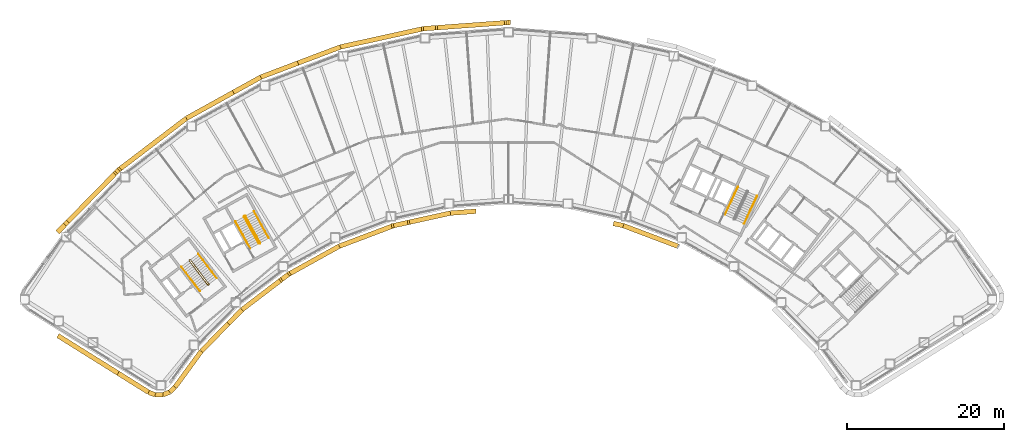
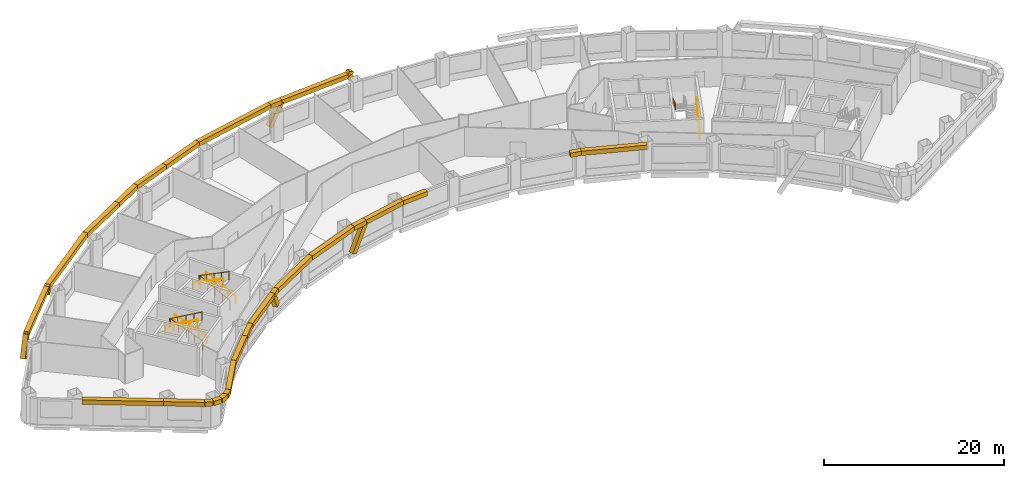
# One storey, part 10 of 11: 35 coverings, 8 railings.
"""IFC4 building model written with IfcOpenShell, lengths in metres."""

from ifc_helpers import new_model, si_unit, direction, frame, origin, origin_2d, place, context, subcontext, project, spatial, rectangle, circle, extrude, material, material_profile, profile_set, type_object, element, save


model = new_model("IFC4")

# Units and contexts
model_context = context("Model", 3, precision=1e-05, world=origin(), true_north=direction((0.0, 1.0)))
body_context = subcontext(model_context, "Body", "Model", "MODEL_VIEW")
ifc_project = project(units=[si_unit("LENGTHUNIT", "METRE"), si_unit("AREAUNIT", "SQUARE_METRE"), si_unit("VOLUMEUNIT", "CUBIC_METRE"), si_unit("PLANEANGLEUNIT", "RADIAN"), si_unit("MASSUNIT", "GRAM", prefix="KILO")], contexts=[model_context])

# Site, building, storey
site_placement = place(None, origin())
site = spatial("IfcSite", under=ifc_project, at=site_placement, CompositionType="ELEMENT")
building_placement = place(site_placement, origin())
building = spatial("IfcBuilding", under=site, at=building_placement, Name="Tuul Gate Civic Tower", CompositionType="ELEMENT")
storey_placement = place(building_placement, frame((0.0, 0.0, 69.60009765625)))
storey = spatial("IfcBuildingStorey", under=building, at=storey_placement, Name="Level 15", CompositionType="ELEMENT", Elevation=69.60009765625)

# Railings
ifc_material_1 = material(Name="Painted steel", Category="steel")
railing_type_1 = type_object("IfcRailingType", Name="Stair guard", PredefinedType="GUARDRAIL", material=ifc_material_1)
railing_1_placement = place(storey_placement, frame((-33.382080078125, -13.515380859375, 0.0)))
element("IfcRailing", 1, at=railing_1_placement, inside=storey, type_object=railing_type_1, Name="Level 15 ST-1 stair guard 1", PredefinedType="GUARDRAIL", context=body_context, shape_type="SweptSolid", body=[
    extrude(circle(Radius=0.02392578125, at=origin_2d()), frame((0.0, 0.0, 1.076171875), z_axis=(-0.795879841968, -0.605454603706, 0.0), x_axis=(0.605454603706, -0.795879841968, 0.0)), (0.0, 0.0, 1.0), 0.10009765625),
    extrude(circle(Radius=0.02392578125, at=origin_2d()), frame((-0.07958984375, -0.060546875, 1.076171875), z_axis=(0.408991890351, 0.599481263939, 0.688002796371), x_axis=(-0.826063974707, 0.563576356576, 0.0)), (0.0, 0.0, 1.0), 0.2177734375),
    extrude(circle(Radius=0.02392578125, at=origin_2d()), frame((0.009521484375, 0.070068359375, 1.22607421875), z_axis=(-0.541824460341, 0.711645023348, 0.447199748346), x_axis=(-0.795637165283, -0.60577347352, 0.0)), (0.0, 0.0, 1.0), 4.3603515625),
    extrude(circle(Radius=0.02392578125, at=origin_2d()), frame((-2.35302734375, 3.173095703125, 3.17578125), z_axis=(-0.990893089246, 0.134650977284, 0.0), x_axis=(-0.134650977284, -0.990893089246, 0.0)), (0.0, 0.0, 1.0), 0.07080078125),
    extrude(circle(Radius=0.02392578125, at=origin_2d()), frame((-2.423095703125, 3.1826171875, 3.17578125), z_axis=(-0.793802879778, -0.60817512943, 0.0), x_axis=(0.60817512943, -0.793802879778, 0.0)), (0.0, 0.0, 1.0), 0.099853515625),
    extrude(circle(Radius=0.02392578125, at=origin_2d()), frame((-2.50244140625, 3.121826171875, 3.17578125), z_axis=(-0.057370624079, -0.422188951554, 0.904690610473), x_axis=(0.990893089246, -0.134650977284, 0.0)), (0.0, 0.0, 1.0), 0.166015625),
    extrude(circle(Radius=0.02392578125, at=origin_2d()), frame((-2.511962890625, 3.0517578125, 3.326171875), z_axis=(0.541806494602, -0.71163897684, 0.447231136047), x_axis=(0.795644365679, 0.605764016233, 0.0)), (0.0, 0.0, 1.0), 4.360107421875),
    extrude(circle(Radius=0.02099609375, at=origin_2d()), origin(), (0.0, 0.0, 1.0), 1.052001953125),
    extrude(circle(Radius=0.02099609375, at=origin_2d()), frame((-0.07958984375, -0.060546875, 0.0)), (0.0, 0.0, 1.0), 1.052001953125),
    extrude(circle(Radius=0.02099609375, at=origin_2d()), frame((0.009521484375, 0.070068359375, 0.14990234375)), (0.0, 0.0, 1.0), 1.052001953125),
    extrude(circle(Radius=0.02099609375, at=origin_2d()), frame((-0.5810546875, 0.845703125, 0.637451171875)), (0.0, 0.0, 1.0), 1.052001953125),
    extrude(circle(Radius=0.02099609375, at=origin_2d()), frame((-1.171875, 1.62158203125, 1.125)), (0.0, 0.0, 1.0), 1.052001953125),
    extrude(circle(Radius=0.02099609375, at=origin_2d()), frame((-1.762451171875, 2.3974609375, 1.6123046875)), (0.0, 0.0, 1.0), 1.052001953125),
    extrude(circle(Radius=0.02099609375, at=origin_2d()), frame((-2.35302734375, 3.173095703125, 2.099853515625)), (0.0, 0.0, 1.0), 1.052001953125),
    extrude(circle(Radius=0.02099609375, at=origin_2d()), frame((-2.423095703125, 3.1826171875, 2.099853515625)), (0.0, 0.0, 1.0), 1.052001953125),
    extrude(circle(Radius=0.02099609375, at=origin_2d()), frame((-2.50244140625, 3.121826171875, 2.099853515625)), (0.0, 0.0, 1.0), 1.052001953125),
    extrude(circle(Radius=0.02099609375, at=origin_2d()), frame((-2.511962890625, 3.0517578125, 2.25)), (0.0, 0.0, 1.0), 1.052001953125),
    extrude(circle(Radius=0.02099609375, at=origin_2d()), frame((-1.92138671875, 2.276123046875, 2.737548828125)), (0.0, 0.0, 1.0), 1.052001953125),
    extrude(circle(Radius=0.02099609375, at=origin_2d()), frame((-1.330810546875, 1.50048828125, 3.22509765625)), (0.0, 0.0, 1.0), 1.052001953125),
    extrude(circle(Radius=0.02099609375, at=origin_2d()), frame((-0.740234375, 0.724609375, 3.71240234375)), (0.0, 0.0, 1.0), 1.052001953125),
    extrude(circle(Radius=0.02099609375, at=origin_2d()), frame((-0.149658203125, -0.051025390625, 4.199951171875)), (0.0, 0.0, 1.0), 1.052001953125),
])
railing_2_placement = place(storey_placement, frame((-26.857666015625, -8.247314453125, 0.0)))
element("IfcRailing", 2, at=railing_2_placement, inside=storey, type_object=railing_type_1, Name="Level 15 ST-2 stair guard 1", PredefinedType="GUARDRAIL", context=body_context, shape_type="SweptSolid", body=[
    extrude(circle(Radius=0.02392578125, at=origin_2d()), frame((0.0, 0.0, 1.076171875), z_axis=(-0.874616555828, -0.48481530532, 0.0), x_axis=(0.48481530532, -0.874616555828, 0.0)), (0.0, 0.0, 1.0), 0.10009765625),
    extrude(circle(Radius=0.02392578125, at=origin_2d()), frame((-0.087646484375, -0.048583984375, 1.076171875), z_axis=(0.49081399482, 0.534516610797, 0.688036056665), x_axis=(-0.736576986774, 0.676353711126, 0.0)), (0.0, 0.0, 1.0), 0.2177734375),
    extrude(circle(Radius=0.02392578125, at=origin_2d()), frame((0.019287109375, 0.06787109375, 1.22607421875), z_axis=(-0.43354991378, 0.782327185242, 0.447212083348), x_axis=(-0.874667644053, -0.484723129681, 0.0)), (0.0, 0.0, 1.0), 4.3603515625),
    extrude(circle(Radius=0.02392578125, at=origin_2d()), frame((-1.87109375, 3.47900390625, 3.17578125), z_axis=(-0.961263487578, 0.275631107549, 0.0), x_axis=(-0.275631107549, -0.961263487578, 0.0)), (0.0, 0.0, 1.0), 0.07080078125),
    extrude(circle(Radius=0.02392578125, at=origin_2d()), frame((-1.939208984375, 3.49853515625, 3.17578125), z_axis=(-0.874042088414, -0.485850211157, 0.0), x_axis=(0.485850211157, -0.874042088414, 0.0)), (0.0, 0.0, 1.0), 0.10009765625),
    extrude(circle(Radius=0.02392578125, at=origin_2d()), frame((-2.026611328125, 3.449951171875, 3.17578125), z_axis=(-0.117709570447, -0.409040757305, 0.904892322815), x_axis=(0.961000426733, -0.276546885391, 0.0)), (0.0, 0.0, 1.0), 0.166015625),
    extrude(circle(Radius=0.02392578125, at=origin_2d()), frame((-2.046142578125, 3.382080078125, 3.326171875), z_axis=(0.433595379963, -0.782308193291, 0.447201226726), x_axis=(0.874641102302, 0.484771020343, 0.0)), (0.0, 0.0, 1.0), 4.3603515625),
    extrude(circle(Radius=0.02099609375, at=origin_2d()), origin(), (0.0, 0.0, 1.0), 1.052001953125),
    extrude(circle(Radius=0.02099609375, at=origin_2d()), frame((-0.087646484375, -0.048583984375, 0.0)), (0.0, 0.0, 1.0), 1.052001953125),
    extrude(circle(Radius=0.02099609375, at=origin_2d()), frame((0.019287109375, 0.06787109375, 0.14990234375)), (0.0, 0.0, 1.0), 1.052001953125),
    extrude(circle(Radius=0.02099609375, at=origin_2d()), frame((-0.453369140625, 0.920654296875, 0.637451171875)), (0.0, 0.0, 1.0), 1.052001953125),
    extrude(circle(Radius=0.02099609375, at=origin_2d()), frame((-0.92578125, 1.7734375, 1.125)), (0.0, 0.0, 1.0), 1.052001953125),
    extrude(circle(Radius=0.02099609375, at=origin_2d()), frame((-1.3984375, 2.626220703125, 1.6123046875)), (0.0, 0.0, 1.0), 1.052001953125),
    extrude(circle(Radius=0.02099609375, at=origin_2d()), frame((-1.87109375, 3.47900390625, 2.099853515625)), (0.0, 0.0, 1.0), 1.052001953125),
    extrude(circle(Radius=0.02099609375, at=origin_2d()), frame((-1.939208984375, 3.49853515625, 2.099853515625)), (0.0, 0.0, 1.0), 1.052001953125),
    extrude(circle(Radius=0.02099609375, at=origin_2d()), frame((-2.026611328125, 3.449951171875, 2.099853515625)), (0.0, 0.0, 1.0), 1.052001953125),
    extrude(circle(Radius=0.02099609375, at=origin_2d()), frame((-2.046142578125, 3.382080078125, 2.25)), (0.0, 0.0, 1.0), 1.052001953125),
    extrude(circle(Radius=0.02099609375, at=origin_2d()), frame((-1.573486328125, 2.529296875, 2.737548828125)), (0.0, 0.0, 1.0), 1.052001953125),
    extrude(circle(Radius=0.02099609375, at=origin_2d()), frame((-1.100830078125, 1.676513671875, 3.22509765625)), (0.0, 0.0, 1.0), 1.052001953125),
    extrude(circle(Radius=0.02099609375, at=origin_2d()), frame((-0.628173828125, 0.82373046875, 3.71240234375)), (0.0, 0.0, 1.0), 1.052001953125),
    extrude(circle(Radius=0.02099609375, at=origin_2d()), frame((-0.155517578125, -0.029052734375, 4.199951171875)), (0.0, 0.0, 1.0), 1.052001953125),
])
ifc_material_2 = material(Name="Painted steel", Category="steel")
railing_type_2 = type_object("IfcRailingType", Name="Stair handrail", PredefinedType="HANDRAIL", material=ifc_material_2)
railing_3_placement = place(storey_placement, frame((-32.3779296875, -12.688232421875, 0.14990234375)))
element("IfcRailing", 3, at=railing_3_placement, inside=storey, type_object=railing_type_2, Name="Level 15 ST-1 stair handrail 1", PredefinedType="HANDRAIL", context=body_context, shape_type="SweptSolid", body=[
    extrude(circle(Radius=0.02392578125, at=origin_2d()), frame((0.0, 0.0, 0.8759765625), z_axis=(-0.541824460341, 0.711645023348, 0.447199748346), x_axis=(-0.795637165283, -0.60577347352, 0.0)), (0.0, 0.0, 1.0), 4.3603515625),
    extrude(circle(Radius=0.02099609375, at=origin_2d()), origin(), (0.0, 0.0, 1.0), 0.851806640625),
    extrude(circle(Radius=0.02099609375, at=origin_2d()), frame((-0.590576171875, 0.77587890625, 0.487548828125)), (0.0, 0.0, 1.0), 0.851806640625),
    extrude(circle(Radius=0.02099609375, at=origin_2d()), frame((-1.18115234375, 1.551513671875, 0.97509765625)), (0.0, 0.0, 1.0), 0.851806640625),
    extrude(circle(Radius=0.02099609375, at=origin_2d()), frame((-1.77197265625, 2.3271484375, 1.46240234375)), (0.0, 0.0, 1.0), 0.851806640625),
    extrude(circle(Radius=0.02099609375, at=origin_2d()), frame((-2.362548828125, 3.10302734375, 1.949951171875)), (0.0, 0.0, 1.0), 0.851806640625),
])
railing_4_placement = place(storey_placement, frame((-36.888671875, -11.220703125, 2.25)))
element("IfcRailing", 4, at=railing_4_placement, inside=storey, type_object=railing_type_2, Name="Level 15 ST-1 stair handrail 2", PredefinedType="HANDRAIL", context=body_context, shape_type="SweptSolid", body=[
    extrude(circle(Radius=0.02392578125, at=origin_2d()), frame((0.0, 0.0, 0.8759765625), z_axis=(0.541824460341, -0.711645023348, 0.447199748346), x_axis=(0.795637165283, 0.60577347352, 0.0)), (0.0, 0.0, 1.0), 4.3603515625),
    extrude(circle(Radius=0.02099609375, at=origin_2d()), origin(), (0.0, 0.0, 1.0), 0.851806640625),
    extrude(circle(Radius=0.02099609375, at=origin_2d()), frame((0.590576171875, -0.77587890625, 0.487548828125)), (0.0, 0.0, 1.0), 0.851806640625),
    extrude(circle(Radius=0.02099609375, at=origin_2d()), frame((1.18115234375, -1.551513671875, 0.97509765625)), (0.0, 0.0, 1.0), 0.851806640625),
    extrude(circle(Radius=0.02099609375, at=origin_2d()), frame((1.77197265625, -2.3271484375, 1.46240234375)), (0.0, 0.0, 1.0), 0.851806640625),
    extrude(circle(Radius=0.02099609375, at=origin_2d()), frame((2.362548828125, -3.10302734375, 1.949951171875)), (0.0, 0.0, 1.0), 0.851806640625),
])
railing_5_placement = place(storey_placement, frame((-25.744873046875, -7.573486328125, 0.14990234375)))
element("IfcRailing", 5, at=railing_5_placement, inside=storey, type_object=railing_type_2, Name="Level 15 ST-2 stair handrail 1", PredefinedType="HANDRAIL", context=body_context, shape_type="SweptSolid", body=[
    extrude(circle(Radius=0.02392578125, at=origin_2d()), frame((0.0, 0.0, 0.8759765625), z_axis=(-0.433595379963, 0.782308193291, 0.447201226726), x_axis=(-0.874641102302, -0.484771020343, 0.0)), (0.0, 0.0, 1.0), 4.3603515625),
    extrude(circle(Radius=0.02099609375, at=origin_2d()), origin(), (0.0, 0.0, 1.0), 0.851806640625),
    extrude(circle(Radius=0.02099609375, at=origin_2d()), frame((-0.47265625, 0.852783203125, 0.487548828125)), (0.0, 0.0, 1.0), 0.851806640625),
    extrude(circle(Radius=0.02099609375, at=origin_2d()), frame((-0.9453125, 1.70556640625, 0.97509765625)), (0.0, 0.0, 1.0), 0.851806640625),
    extrude(circle(Radius=0.02099609375, at=origin_2d()), frame((-1.41796875, 2.558349609375, 1.46240234375)), (0.0, 0.0, 1.0), 0.851806640625),
    extrude(circle(Radius=0.02099609375, at=origin_2d()), frame((-1.890625, 3.4111328125, 1.949951171875)), (0.0, 0.0, 1.0), 0.851806640625),
])
railing_6_placement = place(storey_placement, frame((-29.9970703125, -5.47119140625, 2.25)))
element("IfcRailing", 6, at=railing_6_placement, inside=storey, type_object=railing_type_2, Name="Level 15 ST-2 stair handrail 2", PredefinedType="HANDRAIL", context=body_context, shape_type="SweptSolid", body=[
    extrude(circle(Radius=0.02392578125, at=origin_2d()), frame((0.0, 0.0, 0.8759765625), z_axis=(0.433595379963, -0.782308193291, 0.447201226726), x_axis=(0.874641102302, 0.484771020343, 0.0)), (0.0, 0.0, 1.0), 4.3603515625),
    extrude(circle(Radius=0.02099609375, at=origin_2d()), origin(), (0.0, 0.0, 1.0), 0.851806640625),
    extrude(circle(Radius=0.02099609375, at=origin_2d()), frame((0.47265625, -0.852783203125, 0.487548828125)), (0.0, 0.0, 1.0), 0.851806640625),
    extrude(circle(Radius=0.02099609375, at=origin_2d()), frame((0.9453125, -1.70556640625, 0.97509765625)), (0.0, 0.0, 1.0), 0.851806640625),
    extrude(circle(Radius=0.02099609375, at=origin_2d()), frame((1.41796875, -2.558349609375, 1.46240234375)), (0.0, 0.0, 1.0), 0.851806640625),
    extrude(circle(Radius=0.02099609375, at=origin_2d()), frame((1.890625, -3.4111328125, 1.949951171875)), (0.0, 0.0, 1.0), 0.851806640625),
])
railing_7_placement = place(storey_placement, frame((34.844970703125, -5.74267578125, 0.14990234375)))
element("IfcRailing", 7, at=railing_7_placement, inside=storey, type_object=railing_type_2, Name="Level 15 ST-4 stair handrail 1", PredefinedType="HANDRAIL", context=body_context, shape_type="SweptSolid", body=[
    extrude(circle(Radius=0.02392578125, at=origin_2d()), frame((0.0, 0.0, 0.8759765625), z_axis=(0.377994896215, 0.810636958585, 0.447199709091), x_axis=(-0.906312636903, 0.422607861012, 0.0)), (0.0, 0.0, 1.0), 4.3603515625),
    extrude(circle(Radius=0.02099609375, at=origin_2d()), origin(), (0.0, 0.0, 1.0), 0.851806640625),
    extrude(circle(Radius=0.02099609375, at=origin_2d()), frame((0.412109375, 0.8837890625, 0.487548828125)), (0.0, 0.0, 1.0), 0.851806640625),
    extrude(circle(Radius=0.02099609375, at=origin_2d()), frame((0.82421875, 1.767333984375, 0.97509765625)), (0.0, 0.0, 1.0), 0.851806640625),
    extrude(circle(Radius=0.02099609375, at=origin_2d()), frame((1.236083984375, 2.65087890625, 1.46240234375)), (0.0, 0.0, 1.0), 0.851806640625),
    extrude(circle(Radius=0.02099609375, at=origin_2d()), frame((1.648193359375, 3.53466796875, 1.949951171875)), (0.0, 0.0, 1.0), 0.851806640625),
])
railing_8_placement = place(storey_placement, frame((34.046142578125, -1.06689453125, 2.25)))
element("IfcRailing", 8, at=railing_8_placement, inside=storey, type_object=railing_type_2, Name="Level 15 ST-4 stair handrail 2", PredefinedType="HANDRAIL", context=body_context, shape_type="SweptSolid", body=[
    extrude(circle(Radius=0.02392578125, at=origin_2d()), frame((0.0, 0.0, 0.8759765625), z_axis=(-0.377994896215, -0.810636958585, 0.447199709091), x_axis=(0.906312636903, -0.422607861012, 0.0)), (0.0, 0.0, 1.0), 4.3603515625),
    extrude(circle(Radius=0.02099609375, at=origin_2d()), origin(), (0.0, 0.0, 1.0), 0.851806640625),
    extrude(circle(Radius=0.02099609375, at=origin_2d()), frame((-0.412109375, -0.8837890625, 0.487548828125)), (0.0, 0.0, 1.0), 0.851806640625),
    extrude(circle(Radius=0.02099609375, at=origin_2d()), frame((-0.82421875, -1.767333984375, 0.97509765625)), (0.0, 0.0, 1.0), 0.851806640625),
    extrude(circle(Radius=0.02099609375, at=origin_2d()), frame((-1.236083984375, -2.65087890625, 1.46240234375)), (0.0, 0.0, 1.0), 0.851806640625),
    extrude(circle(Radius=0.02099609375, at=origin_2d()), frame((-1.648193359375, -3.53466796875, 1.949951171875)), (0.0, 0.0, 1.0), 0.851806640625),
])

# Coverings
ifc_material_3 = material(Name="Terracotta baguette", Category="masonry")
ifc_material_profile = material_profile(ifc_material_3, rectangle(XDim=0.60009765625, YDim=0.60009765625, at=origin_2d()), Name="Terracotta baguette screen frame")
ifc_profile_set = profile_set([ifc_material_profile], Name="Terracotta baguette")
covering_type = type_object("IfcCoveringType", Name="Terracotta baguette screen frame", PredefinedType="CLADDING", material=ifc_profile_set)
covering_1_placement = place(storey_placement, frame((4.80810546875, 19.909912109375, 4.347412109375), z_axis=(-0.4740299479, -0.034105979858, -0.879847936084), x_axis=(0.071763490411, -0.997421676847, 0.0)))
element("IfcCovering", 9, at=covering_1_placement, inside=storey, type_object=covering_type, Name="Baguette 70", PredefinedType="CLADDING", context=body_context, shape_type="SweptSolid", body=[
    extrude(rectangle(XDim=0.60009765625, YDim=0.60009765625, at=origin_2d()), origin(), (0.0, 0.0, 1.0), 0.5654296875),
])
covering_2_placement = place(storey_placement, frame((4.5400390625, 19.890625, 3.849853515625), z_axis=(0.474210066164, 0.034118939187, -0.879750368649), x_axis=(-0.071763490411, 0.997421676847, 0.0)))
element("IfcCovering", 10, at=covering_2_placement, inside=storey, type_object=covering_type, Name="Baguette 73", PredefinedType="CLADDING", context=body_context, shape_type="SweptSolid", body=[
    extrude(rectangle(XDim=0.60009765625, YDim=0.60009765625, at=origin_2d()), origin(), (0.0, 0.0, 1.0), 0.565185546875),
])
covering_3_placement = place(storey_placement, frame((4.5400390625, 19.890625, 3.849853515625), z_axis=(-0.997386201486, -0.072254862018, 0.0), x_axis=(0.072254862018, -0.997386201486, 0.0)))
element("IfcCovering", 11, at=covering_3_placement, inside=storey, type_object=covering_type, Name="Baguette 75", PredefinedType="CLADDING", context=body_context, shape_type="SweptSolid", body=[
    extrude(rectangle(XDim=0.60009765625, YDim=0.60009765625, at=origin_2d()), origin(), (0.0, 0.0, 1.0), 9.072265625),
])
covering_4_placement = place(storey_placement, frame((-4.508544921875, 19.235107421875, 3.849853515625), z_axis=(-0.473945050115, -0.034270345712, -0.879887284188), x_axis=(0.072120393401, -0.997395933848, 0.0)))
element("IfcCovering", 12, at=covering_4_placement, inside=storey, type_object=covering_type, Name="Baguette 79", PredefinedType="CLADDING", context=body_context, shape_type="SweptSolid", body=[
    extrude(rectangle(XDim=0.60009765625, YDim=0.60009765625, at=origin_2d()), origin(), (0.0, 0.0, 1.0), 3.17724609375),
])
covering_5_placement = place(storey_placement, frame((-22.021240234375, 14.744873046875, 3.849853515625), z_axis=(-0.935347444676, -0.353730346081, 0.0), x_axis=(0.353730346081, -0.935347444676, 0.0)))
element("IfcCovering", 13, at=covering_5_placement, inside=storey, type_object=covering_type, Name="Baguette 96", PredefinedType="CLADDING", context=body_context, shape_type="SweptSolid", body=[
    extrude(rectangle(XDim=0.60009765625, YDim=0.60009765625, at=origin_2d()), origin(), (0.0, 0.0, 1.0), 5.0673828125),
])
covering_6_placement = place(storey_placement, frame((-26.760986328125, 12.952392578125, 3.849853515625), z_axis=(-0.874625555633, -0.484799069135, 0.0), x_axis=(0.484799069135, -0.874625555633, 0.0)))
element("IfcCovering", 14, at=covering_6_placement, inside=storey, type_object=covering_type, Name="Baguette 97", PredefinedType="CLADDING", context=body_context, shape_type="SweptSolid", body=[
    extrude(rectangle(XDim=0.60009765625, YDim=0.60009765625, at=origin_2d()), origin(), (0.0, 0.0, 1.0), 4.005126953125),
])
covering_7_placement = place(storey_placement, frame((-45.198486328125, 0.798583984375, 3.849853515625), z_axis=(0.332717894742, 0.339465683559, -0.879807849592), x_axis=(-0.714169166593, 0.699973143404, 0.0)))
element("IfcCovering", 15, at=covering_7_placement, inside=storey, type_object=covering_type, Name="Baguette 115", PredefinedType="CLADDING", context=body_context, shape_type="SweptSolid", body=[
    extrude(rectangle(XDim=0.60009765625, YDim=0.60009765625, at=origin_2d()), origin(), (0.0, 0.0, 1.0), 0.940673828125),
])
covering_8_placement = place(storey_placement, frame((-45.198486328125, 0.798583984375, 3.849853515625), z_axis=(-0.700048272114, -0.714095523519, 0.0), x_axis=(0.714095523519, -0.700048272114, 0.0)))
element("IfcCovering", 16, at=covering_8_placement, inside=storey, type_object=covering_type, Name="Baguette 117", PredefinedType="CLADDING", context=body_context, shape_type="SweptSolid", body=[
    extrude(rectangle(XDim=0.60009765625, YDim=0.60009765625, at=origin_2d()), origin(), (0.0, 0.0, 1.0), 9.072265625),
])
covering_9_placement = place(storey_placement, frame((-51.549560546875, -5.679931640625, 3.849853515625), z_axis=(-0.332670098945, -0.339379265425, -0.879859261171), x_axis=(0.714130345586, -0.700012749537, 0.0)))
element("IfcCovering", 17, at=covering_9_placement, inside=storey, type_object=covering_type, Name="Baguette 121", PredefinedType="CLADDING", context=body_context, shape_type="SweptSolid", body=[
    extrude(rectangle(XDim=0.60009765625, YDim=0.60009765625, at=origin_2d()), origin(), (0.0, 0.0, 1.0), 2.802001953125),
])
covering_10_placement = place(storey_placement, frame((-52.63720703125, -20.0029296875, 3.849853515625), z_axis=(0.848043753002, -0.529926214669, 0.0), x_axis=(0.529926214669, 0.848043753002, 0.0)))
element("IfcCovering", 18, at=covering_10_placement, inside=storey, type_object=covering_type, Name="Baguette 150", PredefinedType="CLADDING", context=body_context, shape_type="SweptSolid", body=[
    extrude(rectangle(XDim=0.60009765625, YDim=0.60009765625, at=origin_2d()), origin(), (0.0, 0.0, 1.0), 9.052978515625),
])
covering_11_placement = place(storey_placement, frame((-30.899658203125, -18.470703125, 3.849853515625), z_axis=(0.700087148809, 0.714057409507, 0.0), x_axis=(-0.714057409507, 0.700087148809, 0.0)))
element("IfcCovering", 19, at=covering_11_placement, inside=storey, type_object=covering_type, Name="Baguette 181", PredefinedType="CLADDING", context=body_context, shape_type="SweptSolid", body=[
    extrude(rectangle(XDim=0.60009765625, YDim=0.60009765625, at=origin_2d()), origin(), (0.0, 0.0, 1.0), 2.4814453125),
])
covering_12_placement = place(storey_placement, frame((-29.162353515625, -16.69873046875, 3.849853515625), z_axis=(0.795586533253, 0.605839969057, 0.0), x_axis=(-0.605839969057, 0.795586533253, 0.0)))
element("IfcCovering", 20, at=covering_12_placement, inside=storey, type_object=covering_type, Name="Baguette 182", PredefinedType="CLADDING", context=body_context, shape_type="SweptSolid", body=[
    extrude(rectangle(XDim=0.60009765625, YDim=0.60009765625, at=origin_2d()), origin(), (0.0, 0.0, 1.0), 6.370361328125),
])
covering_13_placement = place(storey_placement, frame((-24.09423828125, -12.83935546875, 3.849853515625), z_axis=(0.370809590506, 0.282480203725, -0.884706268822), x_axis=(-0.605987035724, 0.795474520356, 0.0)))
element("IfcCovering", 21, at=covering_13_placement, inside=storey, type_object=covering_type, Name="Baguette 186", PredefinedType="CLADDING", context=body_context, shape_type="SweptSolid", body=[
    extrude(rectangle(XDim=0.60009765625, YDim=0.60009765625, at=origin_2d()), origin(), (0.0, 0.0, 1.0), 2.2470703125),
])
covering_14_placement = place(storey_placement, frame((-8.056884765625, -5.593017578125, 3.849853515625), z_axis=(-0.455207818063, -0.100282013483, -0.884719933169), x_axis=(0.215140673353, -0.976583069006, 0.0)))
element("IfcCovering", 22, at=covering_14_placement, inside=storey, type_object=covering_type, Name="Baguette 204", PredefinedType="CLADDING", context=body_context, shape_type="SweptSolid", body=[
    extrude(rectangle(XDim=0.60009765625, YDim=0.60009765625, at=origin_2d()), origin(), (0.0, 0.0, 1.0), 3.905029296875),
])
covering_15_placement = place(storey_placement, frame((-8.056884765625, -5.593017578125, 3.849853515625), z_axis=(0.976560188543, 0.215244507836, 0.0), x_axis=(-0.215244507836, 0.976560188543, 0.0)))
element("IfcCovering", 23, at=covering_15_placement, inside=storey, type_object=covering_type, Name="Baguette 206", PredefinedType="CLADDING", context=body_context, shape_type="SweptSolid", body=[
    extrude(rectangle(XDim=0.60009765625, YDim=0.60009765625, at=origin_2d()), origin(), (0.0, 0.0, 1.0), 5.597412109375),
])
covering_16_placement = place(storey_placement, frame((-2.590576171875, -4.38818359375, 3.849853515625), z_axis=(0.997381973981, 0.072313193661, 0.0), x_axis=(-0.072313193661, 0.997381973981, 0.0)))
element("IfcCovering", 24, at=covering_16_placement, inside=storey, type_object=covering_type, Name="Baguette 207", PredefinedType="CLADDING", context=body_context, shape_type="SweptSolid", body=[
    extrude(rectangle(XDim=0.60009765625, YDim=0.60009765625, at=origin_2d()), origin(), (0.0, 0.0, 1.0), 3.254638671875),
])
covering_17_placement = place(storey_placement, frame((18.185546875, -5.705810546875, 3.849853515625), z_axis=(0.976558162371, -0.215253700333, 0.0), x_axis=(0.215253700333, 0.976558162371, 0.0)))
element("IfcCovering", 25, at=covering_17_placement, inside=storey, type_object=covering_type, Name="Baguette 229", PredefinedType="CLADDING", context=body_context, shape_type="SweptSolid", body=[
    extrude(rectangle(XDim=0.60009765625, YDim=0.60009765625, at=origin_2d()), origin(), (0.0, 0.0, 1.0), 1.295166015625),
])
covering_18_placement = place(storey_placement, frame((19.450439453125, -5.984619140625, 3.849853515625), z_axis=(0.935357193845, -0.353704565878, 0.0), x_axis=(0.353704565878, 0.935357193845, 0.0)))
element("IfcCovering", 26, at=covering_18_placement, inside=storey, type_object=covering_type, Name="Baguette 230", PredefinedType="CLADDING", context=body_context, shape_type="SweptSolid", body=[
    extrude(rectangle(XDim=0.60009765625, YDim=0.60009765625, at=origin_2d()), origin(), (0.0, 0.0, 1.0), 7.41796875),
])
covering_19_placement = place(storey_placement, frame((-4.508544921875, 19.235107421875, 3.849853515625), z_axis=(-0.997395933848, -0.072120393401, 0.0), x_axis=(0.072120393401, -0.997395933848, 0.0)))
element("IfcCovering", 27, at=covering_19_placement, inside=storey, type_object=covering_type, Name="Baguette 299", PredefinedType="CLADDING", context=body_context, shape_type="SweptSolid", body=[
    extrude(rectangle(XDim=0.60009765625, YDim=0.60009765625, at=origin_2d()), origin(), (0.0, 0.0, 1.0), 1.509765625),
])
covering_20_placement = place(storey_placement, frame((-6.014404296875, 19.126220703125, 3.849853515625), z_axis=(-0.976565652409, -0.215219716881, 0.0), x_axis=(0.215219716881, -0.976565652409, 0.0)))
element("IfcCovering", 28, at=covering_20_placement, inside=storey, type_object=covering_type, Name="Baguette 300", PredefinedType="CLADDING", context=body_context, shape_type="SweptSolid", body=[
    extrude(rectangle(XDim=0.60009765625, YDim=0.60009765625, at=origin_2d()), origin(), (0.0, 0.0, 1.0), 10.8515625),
])
covering_21_placement = place(storey_placement, frame((-16.611572265625, 16.790771484375, 3.849853515625), z_axis=(-0.935343643308, -0.353740397641, 0.0), x_axis=(0.353740397641, -0.935343643308, 0.0)))
element("IfcCovering", 29, at=covering_21_placement, inside=storey, type_object=covering_type, Name="Baguette 301", PredefinedType="CLADDING", context=body_context, shape_type="SweptSolid", body=[
    extrude(rectangle(XDim=0.60009765625, YDim=0.60009765625, at=origin_2d()), origin(), (0.0, 0.0, 1.0), 5.78369140625),
])
covering_22_placement = place(storey_placement, frame((-30.263916015625, 11.0107421875, 3.849853515625), z_axis=(-0.874636224085, -0.484779821691, 0.0), x_axis=(0.484779821691, -0.874636224085, 0.0)))
element("IfcCovering", 30, at=covering_22_placement, inside=storey, type_object=covering_type, Name="Baguette 305", PredefinedType="CLADDING", context=body_context, shape_type="SweptSolid", body=[
    extrude(rectangle(XDim=0.60009765625, YDim=0.60009765625, at=origin_2d()), origin(), (0.0, 0.0, 1.0), 6.8466796875),
])
covering_23_placement = place(storey_placement, frame((-36.252197265625, 7.691650390625, 3.849853515625), z_axis=(-0.79561038643, -0.605808643884, 0.0), x_axis=(0.605808643884, -0.79561038643, 0.0)))
element("IfcCovering", 31, at=covering_23_placement, inside=storey, type_object=covering_type, Name="Baguette 306", PredefinedType="CLADDING", context=body_context, shape_type="SweptSolid", body=[
    extrude(rectangle(XDim=0.60009765625, YDim=0.60009765625, at=origin_2d()), origin(), (0.0, 0.0, 1.0), 10.85107421875),
])
covering_24_placement = place(storey_placement, frame((-44.885498046875, 1.117919921875, 3.849853515625), z_axis=(-0.699973143404, -0.714169166593, 0.0), x_axis=(0.714169166593, -0.699973143404, 0.0)))
element("IfcCovering", 32, at=covering_24_placement, inside=storey, type_object=covering_type, Name="Baguette 307", PredefinedType="CLADDING", context=body_context, shape_type="SweptSolid", body=[
    extrude(rectangle(XDim=0.60009765625, YDim=0.60009765625, at=origin_2d()), origin(), (0.0, 0.0, 1.0), 0.447021484375),
])
covering_25_placement = place(storey_placement, frame((-44.9599609375, -24.80029296875, 3.849853515625), z_axis=(0.848064178611, -0.529893526057, 0.0), x_axis=(0.529893526057, 0.848064178611, 0.0)))
element("IfcCovering", 33, at=covering_25_placement, inside=storey, type_object=covering_type, Name="Baguette 319", PredefinedType="CLADDING", context=body_context, shape_type="SweptSolid", body=[
    extrude(rectangle(XDim=0.60009765625, YDim=0.60009765625, at=origin_2d()), origin(), (0.0, 0.0, 1.0), 4.580078125),
])
covering_26_placement = place(storey_placement, frame((-41.07568359375, -27.227294921875, 3.849853515625), z_axis=(0.931801188997, -0.362969067807, 0.0), x_axis=(0.362969067807, 0.931801188997, 0.0)))
element("IfcCovering", 34, at=covering_26_placement, inside=storey, type_object=covering_type, Name="Baguette 320", PredefinedType="CLADDING", context=body_context, shape_type="SweptSolid", body=[
    extrude(rectangle(XDim=0.60009765625, YDim=0.60009765625, at=origin_2d()), origin(), (0.0, 0.0, 1.0), 0.9013671875),
])
covering_27_placement = place(storey_placement, frame((-40.23583984375, -27.554443359375, 3.849853515625), z_axis=(0.999995475178, 0.003008259138, 0.0), x_axis=(-0.003008259138, 0.999995475178, 0.0)))
element("IfcCovering", 35, at=covering_27_placement, inside=storey, type_object=covering_type, Name="Baguette 321", PredefinedType="CLADDING", context=body_context, shape_type="SweptSolid", body=[
    extrude(rectangle(XDim=0.60009765625, YDim=0.60009765625, at=origin_2d()), origin(), (0.0, 0.0, 1.0), 0.973876953125),
])
covering_28_placement = place(storey_placement, frame((-39.261962890625, -27.551513671875, 3.849853515625), z_axis=(0.929012088732, 0.370049373719, 0.0), x_axis=(-0.370049373719, 0.929012088732, 0.0)))
element("IfcCovering", 36, at=covering_28_placement, inside=storey, type_object=covering_type, Name="Baguette 322", PredefinedType="CLADDING", context=body_context, shape_type="SweptSolid", body=[
    extrude(rectangle(XDim=0.60009765625, YDim=0.60009765625, at=origin_2d()), origin(), (0.0, 0.0, 1.0), 0.97314453125),
])
covering_29_placement = place(storey_placement, frame((-38.35791015625, -27.19140625, 3.849853515625), z_axis=(0.729883388516, 0.68357167815, 0.0), x_axis=(-0.68357167815, 0.729883388516, 0.0)))
element("IfcCovering", 37, at=covering_29_placement, inside=storey, type_object=covering_type, Name="Baguette 323", PredefinedType="CLADDING", context=body_context, shape_type="SweptSolid", body=[
    extrude(rectangle(XDim=0.60009765625, YDim=0.60009765625, at=origin_2d()), origin(), (0.0, 0.0, 1.0), 0.9013671875),
])
covering_30_placement = place(storey_placement, frame((-37.699951171875, -26.5751953125, 3.849853515625), z_axis=(0.589729447422, 0.807600878432, 0.0), x_axis=(-0.807600878432, 0.589729447422, 0.0)))
element("IfcCovering", 38, at=covering_30_placement, inside=storey, type_object=covering_type, Name="Baguette 324", PredefinedType="CLADDING", context=body_context, shape_type="SweptSolid", body=[
    extrude(rectangle(XDim=0.60009765625, YDim=0.60009765625, at=origin_2d()), origin(), (0.0, 0.0, 1.0), 5.671142578125),
])
covering_31_placement = place(storey_placement, frame((-34.35546875, -21.9951171875, 3.849853515625), z_axis=(0.700123333158, 0.714021931294, 0.0), x_axis=(-0.714021931294, 0.700123333158, 0.0)))
element("IfcCovering", 39, at=covering_31_placement, inside=storey, type_object=covering_type, Name="Baguette 325", PredefinedType="CLADDING", context=body_context, shape_type="SweptSolid", body=[
    extrude(rectangle(XDim=0.60009765625, YDim=0.60009765625, at=origin_2d()), origin(), (0.0, 0.0, 1.0), 4.93603515625),
])
covering_32_placement = place(storey_placement, frame((-24.09423828125, -12.83935546875, 3.849853515625), z_axis=(0.795474520356, 0.605987035724, 0.0), x_axis=(-0.605987035724, 0.795474520356, 0.0)))
element("IfcCovering", 40, at=covering_32_placement, inside=storey, type_object=covering_type, Name="Baguette 336", PredefinedType="CLADDING", context=body_context, shape_type="SweptSolid", body=[
    extrude(rectangle(XDim=0.60009765625, YDim=0.60009765625, at=origin_2d()), origin(), (0.0, 0.0, 1.0), 1.047607421875),
])
for number, where, z_axis, x_axis, name in (
    (41, (-23.260986328125, -12.20458984375, 3.849853515625), (0.874630355477, 0.48479040964, 0.0), (-0.48479040964, 0.874630355477, 0.0), "Baguette 337"),
    (42, (-16.77294921875, -8.6083984375, 3.849853515625), (0.935357193845, 0.353704565878, 0.0), (-0.353704565878, 0.935357193845, 0.0), "Baguette 338"),
):
    element("IfcCovering", number, at=place(storey_placement, frame(where, z_axis=z_axis, x_axis=x_axis)), inside=storey, type_object=covering_type, Name=name, PredefinedType="CLADDING", context=body_context, shape_type="SweptSolid", body=[
        extrude(rectangle(XDim=0.60009765625, YDim=0.60009765625, at=origin_2d()), origin(), (0.0, 0.0, 1.0), 7.41796875),
    ])
covering_33_placement = place(storey_placement, frame((-9.83447265625, -5.984619140625, 3.849853515625), z_axis=(0.976583069006, 0.215140673353, 0.0), x_axis=(-0.215140673353, 0.976583069006, 0.0)))
element("IfcCovering", 43, at=covering_33_placement, inside=storey, type_object=covering_type, Name="Baguette 339", PredefinedType="CLADDING", context=body_context, shape_type="SweptSolid", body=[
    extrude(rectangle(XDim=0.60009765625, YDim=0.60009765625, at=origin_2d()), origin(), (0.0, 0.0, 1.0), 1.8203125),
])

save(model, "model.ifc")
